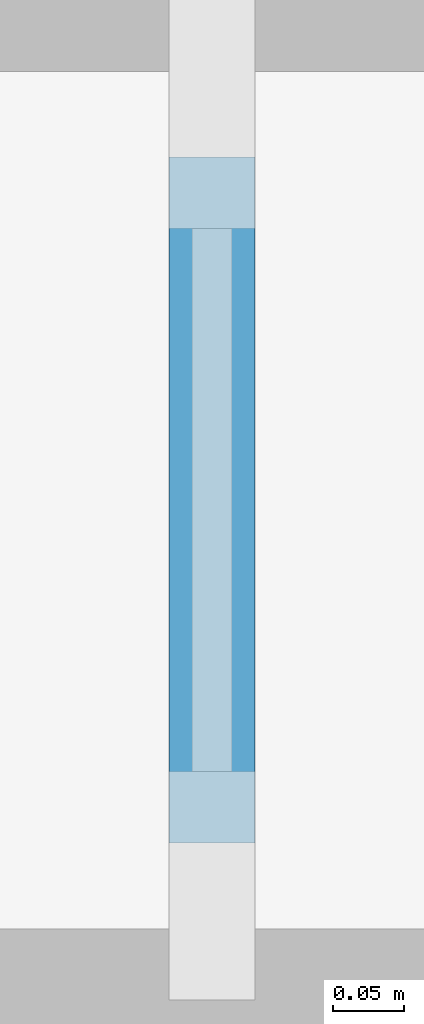
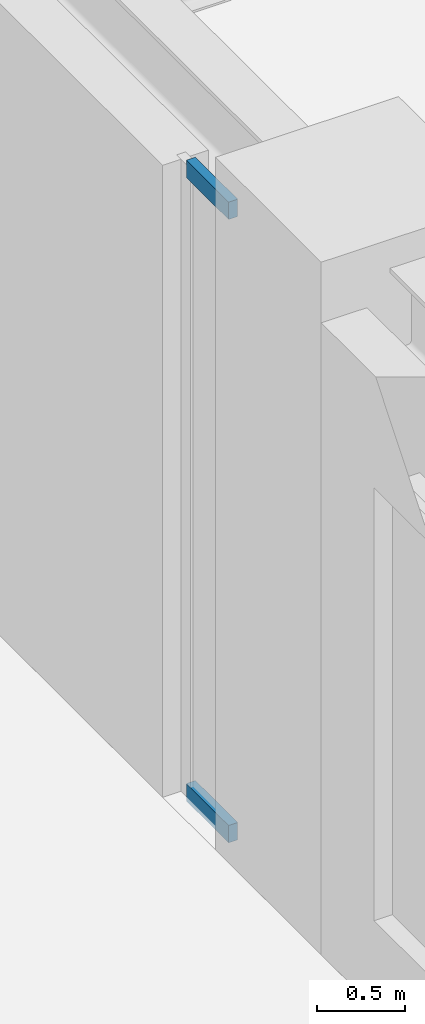
# One storey, part 18 of 53: 2 members, 1 element without a shape of its own.
"""IFC4 building model written with IfcOpenShell, lengths in metres."""

import ifcopenshell
import ifcopenshell.guid

model = None  # the IFC model being written
_history = None  # IfcOwnerHistory: only IFC2X3 demands one
_inside = {}  # id of a spatial element -> (the spatial element, [elements in it])
_under = {}  # id of a project, library or spatial element -> (it, [spatial elements below it])
_declared = {}  # id of a project -> (the project, [libraries it declares])
_typed = {}  # id of a type object -> (the type object, [elements of that type])
_made_of = {}  # id of a material, layer set ... -> (it, [elements and type objects made of it])


def new_model(schema):
    """Start an empty IFC model of exactly this schema.

    Asked for "IFC4X3", IfcOpenShell would pick the latest addendum, in which some entities
    have other attributes; the version numbers below select the first issue.
    IFC2X3 requires an IfcOwnerHistory on every rooted entity: one is made here for all.
    """
    global model, _history
    if schema == "IFC4X3":
        model = ifcopenshell.file(schema_version=(4, 3, 0, 0))
    else:
        model = ifcopenshell.file(schema=schema)
    _inside.clear()
    _under.clear()
    _declared.clear()
    _typed.clear()
    _made_of.clear()
    _history = None
    if model.schema == "IFC2X3":
        org = make("IfcOrganization", Name="unknown")
        user = make(
            "IfcPersonAndOrganization",
            ThePerson=make("IfcPerson", FamilyName="unknown"),
            TheOrganization=org,
        )
        app = make(
            "IfcApplication",
            ApplicationDeveloper=org,
            Version="unknown",
            ApplicationFullName="unknown",
            ApplicationIdentifier="unknown",
        )
        _history = make(
            "IfcOwnerHistory",
            OwningUser=user,
            OwningApplication=app,
            ChangeAction="ADDED",
            CreationDate=0,
        )
    return model


def make(cls, **values):
    """One entity of the class cls with the attributes given. An attribute that is None is left unset."""
    return model.create_entity(
        cls, **{name: value for name, value in values.items() if value is not None}
    )


def rooted(cls, **values):
    """An entity with a GlobalId (a new one), such as an element, a storey or a relation."""
    return make(cls, GlobalId=ifcopenshell.guid.new(), OwnerHistory=_history, **values)


def si_unit(unit_type, name, prefix=None):
    """IfcSIUnit, for example si_unit("LENGTHUNIT", "METRE", prefix="MILLI")."""
    return make("IfcSIUnit", UnitType=unit_type, Prefix=prefix, Name=name)


def assignment(units):
    """IfcUnitAssignment: the units of a project."""
    return None if units is None else make("IfcUnitAssignment", Units=units)


def point(xyz):
    """IfcCartesianPoint."""
    return None if xyz is None else make("IfcCartesianPoint", Coordinates=xyz)


def direction(xyz):
    """IfcDirection."""
    return None if xyz is None else make("IfcDirection", DirectionRatios=xyz)


def frame(location, z_axis=None, x_axis=None):
    """IfcAxis2Placement3D, a coordinate frame: its origin and axes. An axis left out is left unset."""
    return make(
        "IfcAxis2Placement3D",
        Location=point(location),
        Axis=direction(z_axis),
        RefDirection=direction(x_axis),
    )


def frame_2d(location, x_axis=None):
    """IfcAxis2Placement2D, a coordinate frame in the plane: its origin and x axis."""
    return make(
        "IfcAxis2Placement2D", Location=point(location), RefDirection=direction(x_axis)
    )


def origin():
    """The frame at (0, 0, 0) with its axes left unset."""
    return frame((0.0, 0.0, 0.0))


def origin_2d():
    """The frame at (0, 0) in the plane with its x axis left unset."""
    return frame_2d((0.0, 0.0))


def place(relative_to, where):
    """IfcLocalPlacement: puts the frame where relative to a parent placement (None: the world)."""
    return make(
        "IfcLocalPlacement", PlacementRelTo=relative_to, RelativePlacement=where
    )


def context(
    kind, dimensions, precision=None, world=None, true_north=None, identifier=None
):
    """IfcGeometricRepresentationContext, for example the 3D "Model" context."""
    return make(
        "IfcGeometricRepresentationContext",
        ContextIdentifier=identifier,
        ContextType=kind,
        CoordinateSpaceDimension=dimensions,
        Precision=precision,
        WorldCoordinateSystem=world,
        TrueNorth=true_north,
    )


def subcontext(parent, identifier, kind, view, scale=None):
    """IfcGeometricRepresentationSubContext, for example "Body" below "Model"."""
    return make(
        "IfcGeometricRepresentationSubContext",
        ContextIdentifier=identifier,
        ContextType=kind,
        ParentContext=parent,
        TargetScale=scale,
        TargetView=view,
    )


def project(units=None, contexts=None):
    """IfcProject with its units and contexts."""
    return rooted(
        "IfcProject",
        Name="project",
        RepresentationContexts=contexts,
        UnitsInContext=assignment(units),
    )


def spatial(cls, under=None, at=None, **own):
    """A site, building, storey or space (cls), placed at a placement, below another one or the project."""
    s = rooted(cls, ObjectPlacement=at, **own)
    if under is not None:
        _under.setdefault(under.id(), (under, []))[1].append(s)
    return s


def profile(cls, at=None, kind="AREA", **sizes):
    """A parametric profile (cls). Its sizes go by their IFC names, for example OverallWidth=200.0."""
    return make(cls, ProfileType=kind, Position=at, **sizes)


def rectangle(**sizes):
    """IfcRectangleProfileDef."""
    return profile("IfcRectangleProfileDef", **sizes)


def extrude(swept, where, along, depth):
    """IfcExtrudedAreaSolid: the profile swept, set in the frame where, extruded along a direction by depth."""
    return make(
        "IfcExtrudedAreaSolid",
        SweptArea=swept,
        Position=where,
        ExtrudedDirection=direction(along),
        Depth=depth,
    )


def shape(context_of_items, identifier, shape_type, items):
    """IfcShapeRepresentation: the items that make up one representation, for example the "Body"."""
    return make(
        "IfcShapeRepresentation",
        ContextOfItems=context_of_items,
        RepresentationIdentifier=identifier,
        RepresentationType=shape_type,
        Items=items,
    )


def material(Name=None, Category=None):
    """IfcMaterial."""
    return make("IfcMaterial", Name=Name, Category=Category)


def material_profile(
    of_material, cross_section, Name=None, Category=None, Priority=None
):
    """IfcMaterialProfile: a cross section and its material."""
    return make(
        "IfcMaterialProfile",
        Name=Name,
        Material=of_material,
        Profile=cross_section,
        Priority=Priority,
        Category=Category,
    )


def profile_set(profiles, Name=None, composite=None):
    """IfcMaterialProfileSet."""
    return make(
        "IfcMaterialProfileSet",
        Name=Name,
        MaterialProfiles=profiles,
        CompositeProfile=composite,
    )


def made_of(thing, what):
    """Note that an element or type object is made of a material, layer set ...; save() writes the relation."""
    if what is not None:
        _made_of.setdefault(what.id(), (what, []))[1].append(thing)
    return thing


def type_object(cls, material=None, **own):
    """A type object (cls), such as IfcWallType, which elements share."""
    return made_of(rooted(cls, **own), material)


def element(
    cls,
    number,
    at=None,
    inside=None,
    cuts=None,
    type_object=None,
    material=None,
    context=None,
    identifier="Body",
    shape_type=None,
    held_by="IfcProductDefinitionShape",
    body=None,
    shapes=None,
    **own,
):
    """One element of the class cls, such as IfcWall. Its Tag is "e" and its number.

    at: its placement. inside: the storey or other place that contains it. cuts: it is an
    opening in that element (IfcRelVoidsElement). A single representation is given by context,
    identifier, shape_type and body (its items); several are given by shapes. held_by: the class
    of the entity that holds the representations. save() writes the other relations.
    """
    e = rooted(cls, Tag="e%d" % number, ObjectPlacement=at, **own)
    if body is not None:
        shapes = [shape(context, identifier, shape_type, body)]
    if shapes is not None:
        e.Representation = make(held_by, Representations=shapes)
    if inside is not None:
        _inside.setdefault(inside.id(), (inside, []))[1].append(e)
    if cuts is not None:
        rooted(
            "IfcRelVoidsElement", RelatingBuildingElement=cuts, RelatedOpeningElement=e
        )
    if type_object is not None:
        _typed.setdefault(type_object.id(), (type_object, []))[1].append(e)
    return made_of(e, material)


def aggregate(whole, parts):
    """IfcRelAggregates: a whole, such as a stair, and the parts it consists of."""
    return rooted("IfcRelAggregates", RelatingObject=whole, RelatedObjects=parts)


def save(model, path):
    """Write the relations noted so far, then the file.

    IfcRelAggregates (storeys below a building ...), IfcRelContainedInSpatialStructure (elements
    in a storey), IfcRelDefinesByType, IfcRelAssociatesMaterial and IfcRelDeclares: one each for
    every whole, place, type object, material and project.
    """
    for whole, parts in _under.values():
        aggregate(whole, parts)
    for where, things in _inside.values():
        rooted(
            "IfcRelContainedInSpatialStructure",
            RelatedElements=things,
            RelatingStructure=where,
        )
    for kind, things in _typed.values():
        rooted("IfcRelDefinesByType", RelatedObjects=things, RelatingType=kind)
    for what, things in _made_of.values():
        rooted("IfcRelAssociatesMaterial", RelatedObjects=things, RelatingMaterial=what)
    for by, libraries in _declared.values():
        rooted("IfcRelDeclares", RelatingContext=by, RelatedDefinitions=libraries)
    model.write(path)


model = new_model("IFC4")

# Units and contexts
model_context = context("Model", 3, precision=1e-05, world=origin(), true_north=direction((0.0, 1.0)))
body_context = subcontext(model_context, "Body", "Model", "MODEL_VIEW")
ifc_project = project(units=[si_unit("LENGTHUNIT", "METRE"), si_unit("AREAUNIT", "SQUARE_METRE"), si_unit("VOLUMEUNIT", "CUBIC_METRE"), si_unit("PLANEANGLEUNIT", "RADIAN"), si_unit("MASSUNIT", "GRAM", prefix="KILO")], contexts=[model_context])

# Site, building, storey
site_placement = place(None, origin())
site = spatial("IfcSite", under=ifc_project, at=site_placement, CompositionType="ELEMENT")
building_placement = place(site_placement, origin())
building = spatial("IfcBuilding", under=site, at=building_placement, Name="Khepri Terraces", CompositionType="ELEMENT")
storey_placement = place(building_placement, frame((0.0, 0.0, 7.199951171875)))
storey = spatial("IfcBuildingStorey", under=building, at=storey_placement, Name="L01", CompositionType="ELEMENT", Elevation=7.199951171875)

# Curtain wall, members
ifc_material_1 = material(Name="Anodised aluminium bronze curtain wall", Category="aluminium")
curtain_wall_type = type_object("IfcCurtainWallType", Name="CW-SYS2-PODIUM", PredefinedType="NOTDEFINED", material=ifc_material_1)
curtain_wall_placement = place(storey_placement, origin())
curtain_wall = element("IfcCurtainWall", 1, at=curtain_wall_placement, inside=storey, type_object=curtain_wall_type, Name="Curtain wall CW2 L01 W", PredefinedType="NOTDEFINED")
ifc_material_2 = material(Name="Anodised aluminium bronze", Category="aluminium")
ifc_material_profile = material_profile(ifc_material_2, rectangle(XDim=0.06005859375, YDim=0.1201171875, at=origin_2d()), Name="Anodised aluminium bronze", Category="aluminium")
ifc_profile_set = profile_set([ifc_material_profile], Name="Anodised aluminium bronze")
member_type = type_object("IfcMemberType", Name="CW-TRANSOM-60x120", PredefinedType="USERDEFINED", material=ifc_profile_set)
member_1_placement = place(storey_placement, frame((-42.449951171875, 9.5400390625, 0.030029296875), z_axis=(0.0, -1.0, 0.0), x_axis=(1.0, 0.0, 0.0)))
member_1 = element("IfcMember", 2, at=member_1_placement, type_object=member_type, Name="CW2 transom 1.1", ObjectType="TRANSOM", PredefinedType="USERDEFINED", context=body_context, shape_type="SweptSolid", body=[
    extrude(rectangle(XDim=0.06005859375, YDim=0.1201171875, at=origin_2d()), origin(), (0.0, 0.0, 1.0), 0.47998046875),
])
member_2_placement = place(storey_placement, frame((-42.449951171875, 9.5400390625, 4.35009765625), z_axis=(0.0, -1.0, 0.0), x_axis=(1.0, 0.0, 0.0)))
member_2 = element("IfcMember", 3, at=member_2_placement, type_object=member_type, Name="CW2 transom 1.2", ObjectType="TRANSOM", PredefinedType="USERDEFINED", context=body_context, shape_type="SweptSolid", body=[
    extrude(rectangle(XDim=0.06005859375, YDim=0.1201171875, at=origin_2d()), origin(), (0.0, 0.0, 1.0), 0.47998046875),
])
aggregate(curtain_wall, [member_1, member_2])

save(model, "model.ifc")
